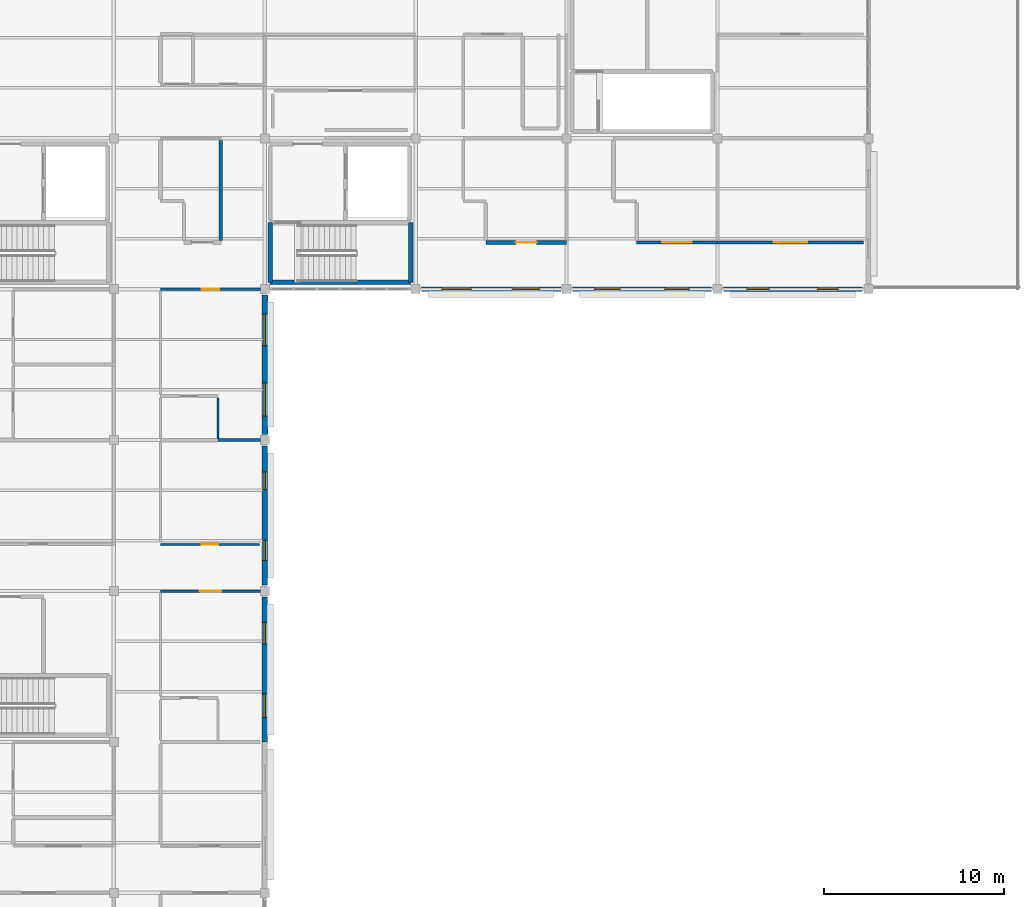
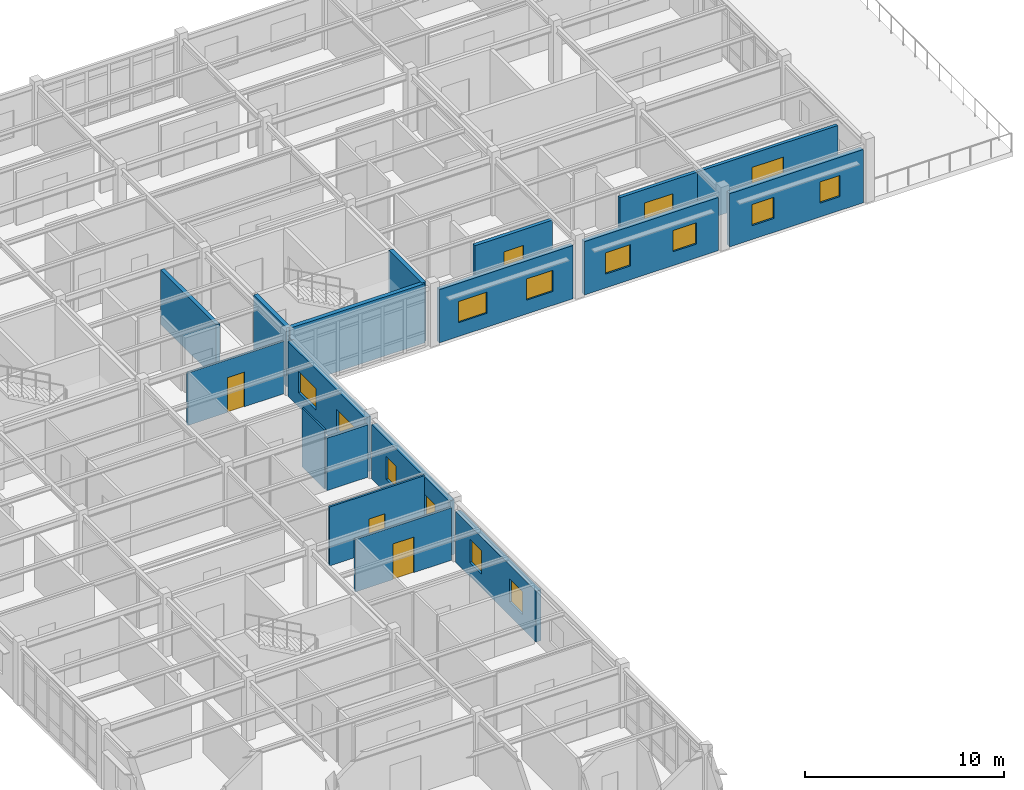
# One storey, part 43 of 53: 18 walls, 12 windows, 6 doors, 18 openings.
"""IFC4 building model written with IfcOpenShell, lengths in metres."""

import ifcopenshell
import ifcopenshell.guid

model = None  # the IFC model being written
_history = None  # IfcOwnerHistory: only IFC2X3 demands one
_inside = {}  # id of a spatial element -> (the spatial element, [elements in it])
_under = {}  # id of a project, library or spatial element -> (it, [spatial elements below it])
_declared = {}  # id of a project -> (the project, [libraries it declares])
_typed = {}  # id of a type object -> (the type object, [elements of that type])
_made_of = {}  # id of a material, layer set ... -> (it, [elements and type objects made of it])


def new_model(schema):
    """Start an empty IFC model of exactly this schema.

    Asked for "IFC4X3", IfcOpenShell would pick the latest addendum, in which some entities
    have other attributes; the version numbers below select the first issue.
    IFC2X3 requires an IfcOwnerHistory on every rooted entity: one is made here for all.
    """
    global model, _history
    if schema == "IFC4X3":
        model = ifcopenshell.file(schema_version=(4, 3, 0, 0))
    else:
        model = ifcopenshell.file(schema=schema)
    _inside.clear()
    _under.clear()
    _declared.clear()
    _typed.clear()
    _made_of.clear()
    _history = None
    if model.schema == "IFC2X3":
        org = make("IfcOrganization", Name="unknown")
        user = make(
            "IfcPersonAndOrganization",
            ThePerson=make("IfcPerson", FamilyName="unknown"),
            TheOrganization=org,
        )
        app = make(
            "IfcApplication",
            ApplicationDeveloper=org,
            Version="unknown",
            ApplicationFullName="unknown",
            ApplicationIdentifier="unknown",
        )
        _history = make(
            "IfcOwnerHistory",
            OwningUser=user,
            OwningApplication=app,
            ChangeAction="ADDED",
            CreationDate=0,
        )
    return model


def make(cls, **values):
    """One entity of the class cls with the attributes given. An attribute that is None is left unset."""
    return model.create_entity(
        cls, **{name: value for name, value in values.items() if value is not None}
    )


def rooted(cls, **values):
    """An entity with a GlobalId (a new one), such as an element, a storey or a relation."""
    return make(cls, GlobalId=ifcopenshell.guid.new(), OwnerHistory=_history, **values)


def si_unit(unit_type, name, prefix=None):
    """IfcSIUnit, for example si_unit("LENGTHUNIT", "METRE", prefix="MILLI")."""
    return make("IfcSIUnit", UnitType=unit_type, Prefix=prefix, Name=name)


def assignment(units):
    """IfcUnitAssignment: the units of a project."""
    return None if units is None else make("IfcUnitAssignment", Units=units)


def point(xyz):
    """IfcCartesianPoint."""
    return None if xyz is None else make("IfcCartesianPoint", Coordinates=xyz)


def direction(xyz):
    """IfcDirection."""
    return None if xyz is None else make("IfcDirection", DirectionRatios=xyz)


def frame(location, z_axis=None, x_axis=None):
    """IfcAxis2Placement3D, a coordinate frame: its origin and axes. An axis left out is left unset."""
    return make(
        "IfcAxis2Placement3D",
        Location=point(location),
        Axis=direction(z_axis),
        RefDirection=direction(x_axis),
    )


def frame_2d(location, x_axis=None):
    """IfcAxis2Placement2D, a coordinate frame in the plane: its origin and x axis."""
    return make(
        "IfcAxis2Placement2D", Location=point(location), RefDirection=direction(x_axis)
    )


def origin():
    """The frame at (0, 0, 0) with its axes left unset."""
    return frame((0.0, 0.0, 0.0))


def place(relative_to, where):
    """IfcLocalPlacement: puts the frame where relative to a parent placement (None: the world)."""
    return make(
        "IfcLocalPlacement", PlacementRelTo=relative_to, RelativePlacement=where
    )


def context(
    kind, dimensions, precision=None, world=None, true_north=None, identifier=None
):
    """IfcGeometricRepresentationContext, for example the 3D "Model" context."""
    return make(
        "IfcGeometricRepresentationContext",
        ContextIdentifier=identifier,
        ContextType=kind,
        CoordinateSpaceDimension=dimensions,
        Precision=precision,
        WorldCoordinateSystem=world,
        TrueNorth=true_north,
    )


def subcontext(parent, identifier, kind, view, scale=None):
    """IfcGeometricRepresentationSubContext, for example "Body" below "Model"."""
    return make(
        "IfcGeometricRepresentationSubContext",
        ContextIdentifier=identifier,
        ContextType=kind,
        ParentContext=parent,
        TargetScale=scale,
        TargetView=view,
    )


def project(units=None, contexts=None):
    """IfcProject with its units and contexts."""
    return rooted(
        "IfcProject",
        Name="project",
        RepresentationContexts=contexts,
        UnitsInContext=assignment(units),
    )


def spatial(cls, under=None, at=None, **own):
    """A site, building, storey or space (cls), placed at a placement, below another one or the project."""
    s = rooted(cls, ObjectPlacement=at, **own)
    if under is not None:
        _under.setdefault(under.id(), (under, []))[1].append(s)
    return s


def profile(cls, at=None, kind="AREA", **sizes):
    """A parametric profile (cls). Its sizes go by their IFC names, for example OverallWidth=200.0."""
    return make(cls, ProfileType=kind, Position=at, **sizes)


def rectangle(**sizes):
    """IfcRectangleProfileDef."""
    return profile("IfcRectangleProfileDef", **sizes)


def extrude(swept, where, along, depth):
    """IfcExtrudedAreaSolid: the profile swept, set in the frame where, extruded along a direction by depth."""
    return make(
        "IfcExtrudedAreaSolid",
        SweptArea=swept,
        Position=where,
        ExtrudedDirection=direction(along),
        Depth=depth,
    )


def shape(context_of_items, identifier, shape_type, items):
    """IfcShapeRepresentation: the items that make up one representation, for example the "Body"."""
    return make(
        "IfcShapeRepresentation",
        ContextOfItems=context_of_items,
        RepresentationIdentifier=identifier,
        RepresentationType=shape_type,
        Items=items,
    )


def material(Name=None, Category=None):
    """IfcMaterial."""
    return make("IfcMaterial", Name=Name, Category=Category)


def layer(
    of_material, thickness, ventilated=None, Name=None, Category=None, Priority=None
):
    """IfcMaterialLayer: one layer of a wall or slab, of a material (None: an air gap)."""
    return make(
        "IfcMaterialLayer",
        Material=of_material,
        LayerThickness=thickness,
        IsVentilated=ventilated,
        Name=Name,
        Category=Category,
        Priority=Priority,
    )


def layer_set(layers, Name=None):
    """IfcMaterialLayerSet."""
    return make("IfcMaterialLayerSet", MaterialLayers=layers, LayerSetName=Name)


def made_of(thing, what):
    """Note that an element or type object is made of a material, layer set ...; save() writes the relation."""
    if what is not None:
        _made_of.setdefault(what.id(), (what, []))[1].append(thing)
    return thing


def type_object(cls, material=None, **own):
    """A type object (cls), such as IfcWallType, which elements share."""
    return made_of(rooted(cls, **own), material)


def element(
    cls,
    number,
    at=None,
    inside=None,
    cuts=None,
    type_object=None,
    material=None,
    context=None,
    identifier="Body",
    shape_type=None,
    held_by="IfcProductDefinitionShape",
    body=None,
    shapes=None,
    **own,
):
    """One element of the class cls, such as IfcWall. Its Tag is "e" and its number.

    at: its placement. inside: the storey or other place that contains it. cuts: it is an
    opening in that element (IfcRelVoidsElement). A single representation is given by context,
    identifier, shape_type and body (its items); several are given by shapes. held_by: the class
    of the entity that holds the representations. save() writes the other relations.
    """
    e = rooted(cls, Tag="e%d" % number, ObjectPlacement=at, **own)
    if body is not None:
        shapes = [shape(context, identifier, shape_type, body)]
    if shapes is not None:
        e.Representation = make(held_by, Representations=shapes)
    if inside is not None:
        _inside.setdefault(inside.id(), (inside, []))[1].append(e)
    if cuts is not None:
        rooted(
            "IfcRelVoidsElement", RelatingBuildingElement=cuts, RelatedOpeningElement=e
        )
    if type_object is not None:
        _typed.setdefault(type_object.id(), (type_object, []))[1].append(e)
    return made_of(e, material)


def fill(opening, filler):
    """IfcRelFillsElement: the door or window that sits in an opening."""
    return rooted(
        "IfcRelFillsElement",
        RelatingOpeningElement=opening,
        RelatedBuildingElement=filler,
    )


def aggregate(whole, parts):
    """IfcRelAggregates: a whole, such as a stair, and the parts it consists of."""
    return rooted("IfcRelAggregates", RelatingObject=whole, RelatedObjects=parts)


def save(model, path):
    """Write the relations noted so far, then the file.

    IfcRelAggregates (storeys below a building ...), IfcRelContainedInSpatialStructure (elements
    in a storey), IfcRelDefinesByType, IfcRelAssociatesMaterial and IfcRelDeclares: one each for
    every whole, place, type object, material and project.
    """
    for whole, parts in _under.values():
        aggregate(whole, parts)
    for where, things in _inside.values():
        rooted(
            "IfcRelContainedInSpatialStructure",
            RelatedElements=things,
            RelatingStructure=where,
        )
    for kind, things in _typed.values():
        rooted("IfcRelDefinesByType", RelatedObjects=things, RelatingType=kind)
    for what, things in _made_of.values():
        rooted("IfcRelAssociatesMaterial", RelatedObjects=things, RelatingMaterial=what)
    for by, libraries in _declared.values():
        rooted("IfcRelDeclares", RelatingContext=by, RelatedDefinitions=libraries)
    model.write(path)


model = new_model("IFC4")

# Units and contexts
model_context = context("Model", 3, precision=1e-05, world=origin(), true_north=direction((0.0, 1.0)))
body_context = subcontext(model_context, "Body", "Model", "MODEL_VIEW")
ifc_project = project(units=[si_unit("LENGTHUNIT", "METRE"), si_unit("AREAUNIT", "SQUARE_METRE"), si_unit("VOLUMEUNIT", "CUBIC_METRE"), si_unit("PLANEANGLEUNIT", "RADIAN"), si_unit("MASSUNIT", "GRAM", prefix="KILO")], contexts=[model_context])

# Site, building, storey
site_placement = place(None, origin())
site = spatial("IfcSite", under=ifc_project, at=site_placement, CompositionType="ELEMENT")
building_placement = place(site_placement, origin())
building = spatial("IfcBuilding", under=site, at=building_placement, Name="Bramfleet General Hospital", CompositionType="ELEMENT")
storey_placement = place(building_placement, frame((0.0, 0.0, 26.39990234375)))
storey = spatial("IfcBuildingStorey", under=building, at=storey_placement, Name="L06", CompositionType="ELEMENT", Elevation=26.39990234375)

# Wall, openings, windows
ifc_material_1 = material(Name="Precast concrete C40/50", Category="concrete")
ifc_layer_1 = layer(ifc_material_1, 0.3349609375, Name="WT-EW-03")
ifc_layer_set_1 = layer_set([ifc_layer_1], Name="Precast concrete C40/50")
wall_type_1 = type_object("IfcWallType", Name="WT-EW-03", PredefinedType="SOLIDWALL", material=ifc_layer_set_1)
wall_1_placement = place(storey_placement, frame((117.60009765625, 92.074951171875, 0.0), z_axis=(0.0, 0.0, 1.0), x_axis=(0.0, -1.0, 0.0)))
wall_1 = element("IfcWall", 1, at=wall_1_placement, inside=storey, type_object=wall_type_1, Name="L06 Exterior Wall 407", PredefinedType="SOLIDWALL", context=body_context, shape_type="SweptSolid", body=[
    extrude(rectangle(XDim=7.75, YDim=0.3349609375, at=frame_2d((3.875, 0.0))), origin(), (0.0, 0.0, 1.0), 3.340087890625),
])
opening_1_placement = place(wall_1_placement, frame((1.0625, 0.0, 0.85009765625)))
opening_1 = element("IfcOpeningElement", 2, at=opening_1_placement, cuts=wall_1, Name="Opening W-09", PredefinedType="OPENING", context=body_context, shape_type="SweptSolid", body=[
    extrude(rectangle(XDim=1.75, YDim=1.300048828125, at=frame_2d((0.875, 0.64990234375))), frame((0.0, 0.177490234375, 0.0), z_axis=(0.0, -1.0, 0.0), x_axis=(1.0, 0.0, 0.0)), (0.0, 0.0, 1.0), 0.35498046875),
])
opening_2_placement = place(wall_1_placement, frame((4.887451171875, 0.0, 0.85009765625)))
opening_2 = element("IfcOpeningElement", 3, at=opening_2_placement, cuts=wall_1, Name="Opening W-10", PredefinedType="OPENING", context=body_context, shape_type="SweptSolid", body=[
    extrude(rectangle(XDim=1.85009765625, YDim=1.300048828125, at=frame_2d((0.925048828125, 0.64990234375))), frame((0.0, 0.177490234375, 0.0), z_axis=(0.0, -1.0, 0.0), x_axis=(1.0, 0.0, 0.0)), (0.0, 0.0, 1.0), 0.35498046875),
])
ifc_material_2 = material(Name="Anodised aluminium and low-E triple glazing", Category="aluminium")
window_type_1 = type_object("IfcWindowType", Name="WIN-W-09", PartitioningType="SINGLE_PANEL", PredefinedType="WINDOW", material=ifc_material_2)
window_1_placement = place(opening_1_placement, origin())
window_1 = element("IfcWindow", 4, at=window_1_placement, inside=storey, type_object=window_type_1, Name="L06 Facade Window WIN-L06-407-1", OverallHeight=1.300048828125, OverallWidth=1.75, PartitioningType="SINGLE_PANEL", PredefinedType="WINDOW", context=body_context, shape_type="SweptSolid", body=[
    extrude(rectangle(XDim=1.75, YDim=1.300048828125, at=frame_2d((0.875, 0.64990234375))), frame((0.0, 0.030029296875, 0.0), z_axis=(0.0, -1.0, 0.0), x_axis=(1.0, 0.0, 0.0)), (0.0, 0.0, 1.0), 0.06005859375),
])
fill(opening_1, window_1)
window_type_2 = type_object("IfcWindowType", Name="WIN-W-10", PartitioningType="SINGLE_PANEL", PredefinedType="WINDOW", material=ifc_material_2)
window_2_placement = place(opening_2_placement, origin())
window_2 = element("IfcWindow", 5, at=window_2_placement, inside=storey, type_object=window_type_2, Name="L06 Facade Window WIN-L06-407-2", OverallHeight=1.300048828125, OverallWidth=1.85009765625, PartitioningType="SINGLE_PANEL", PredefinedType="WINDOW", context=body_context, shape_type="SweptSolid", body=[
    extrude(rectangle(XDim=1.85009765625, YDim=1.300048828125, at=frame_2d((0.925048828125, 0.64990234375))), frame((0.0, 0.030029296875, 0.0), z_axis=(0.0, -1.0, 0.0), x_axis=(1.0, 0.0, 0.0)), (0.0, 0.0, 1.0), 0.06005859375),
])
fill(opening_2, window_2)

ifc_layer_2 = layer(ifc_material_1, 0.31494140625, Name="WT-EW-04")
ifc_layer_set_2 = layer_set([ifc_layer_2], Name="Precast concrete C40/50")
wall_type_2 = type_object("IfcWallType", Name="WT-EW-04", PredefinedType="SOLIDWALL", material=ifc_layer_set_2)
wall_2_placement = place(storey_placement, frame((117.60009765625, 83.675048828125, 0.0), z_axis=(0.0, 0.0, 1.0), x_axis=(0.0, -1.0, 0.0)))
wall_2 = element("IfcWall", 6, at=wall_2_placement, inside=storey, type_object=wall_type_2, Name="L06 Exterior Wall 408", PredefinedType="SOLIDWALL", context=body_context, shape_type="SweptSolid", body=[
    extrude(rectangle(XDim=7.75, YDim=0.31494140625, at=frame_2d((3.875, 0.0))), origin(), (0.0, 0.0, 1.0), 3.340087890625),
])
opening_3_placement = place(wall_2_placement, frame((1.4375, 0.0, 0.85009765625)))
opening_3 = element("IfcOpeningElement", 7, at=opening_3_placement, cuts=wall_2, Name="Opening W-11", PredefinedType="OPENING", context=body_context, shape_type="SweptSolid", body=[
    extrude(rectangle(XDim=1.0, YDim=1.419921875, at=frame_2d((0.5, 0.7099609375))), frame((0.0, 0.16748046875, 0.0), z_axis=(0.0, -1.0, 0.0), x_axis=(1.0, 0.0, 0.0)), (0.0, 0.0, 1.0), 0.3349609375),
])
opening_4_placement = place(wall_2_placement, frame((5.262451171875, 0.0, 0.85009765625)))
opening_4 = element("IfcOpeningElement", 8, at=opening_4_placement, cuts=wall_2, Name="Opening W-12", PredefinedType="OPENING", context=body_context, shape_type="SweptSolid", body=[
    extrude(rectangle(XDim=1.10009765625, YDim=1.419921875, at=frame_2d((0.550048828125, 0.7099609375))), frame((0.0, 0.16748046875, 0.0), z_axis=(0.0, -1.0, 0.0), x_axis=(1.0, 0.0, 0.0)), (0.0, 0.0, 1.0), 0.3349609375),
])
window_type_3 = type_object("IfcWindowType", Name="WIN-W-11", PartitioningType="SINGLE_PANEL", PredefinedType="WINDOW", material=ifc_material_2)
window_3_placement = place(opening_3_placement, origin())
window_3 = element("IfcWindow", 9, at=window_3_placement, inside=storey, type_object=window_type_3, Name="L06 Facade Window WIN-L06-408-1", OverallHeight=1.419921875, OverallWidth=1.0, PartitioningType="SINGLE_PANEL", PredefinedType="WINDOW", context=body_context, shape_type="SweptSolid", body=[
    extrude(rectangle(XDim=1.0, YDim=1.419921875, at=frame_2d((0.5, 0.7099609375))), frame((0.0, 0.030029296875, 0.0), z_axis=(0.0, -1.0, 0.0), x_axis=(1.0, 0.0, 0.0)), (0.0, 0.0, 1.0), 0.06005859375),
])
fill(opening_3, window_3)
window_type_4 = type_object("IfcWindowType", Name="WIN-W-12", PartitioningType="SINGLE_PANEL", PredefinedType="WINDOW", material=ifc_material_2)
window_4_placement = place(opening_4_placement, origin())
window_4 = element("IfcWindow", 10, at=window_4_placement, inside=storey, type_object=window_type_4, Name="L06 Facade Window WIN-L06-408-2", OverallHeight=1.419921875, OverallWidth=1.10009765625, PartitioningType="SINGLE_PANEL", PredefinedType="WINDOW", context=body_context, shape_type="SweptSolid", body=[
    extrude(rectangle(XDim=1.10009765625, YDim=1.419921875, at=frame_2d((0.550048828125, 0.7099609375))), frame((0.0, 0.030029296875, 0.0), z_axis=(0.0, -1.0, 0.0), x_axis=(1.0, 0.0, 0.0)), (0.0, 0.0, 1.0), 0.06005859375),
])
fill(opening_4, window_4)

ifc_layer_3 = layer(ifc_material_1, 0.294921875, Name="WT-EW-05")
ifc_layer_set_3 = layer_set([ifc_layer_3], Name="Precast concrete C40/50")
wall_type_3 = type_object("IfcWallType", Name="WT-EW-05", PredefinedType="SOLIDWALL", material=ifc_layer_set_3)
wall_3_placement = place(storey_placement, frame((117.60009765625, 75.27490234375, 0.0), z_axis=(0.0, 0.0, 1.0), x_axis=(0.0, -1.0, 0.0)))
wall_3 = element("IfcWall", 11, at=wall_3_placement, inside=storey, type_object=wall_type_3, Name="L06 Exterior Wall 409", PredefinedType="SOLIDWALL", context=body_context, shape_type="SweptSolid", body=[
    extrude(rectangle(XDim=8.074951171875, YDim=0.294921875, at=frame_2d((4.03759765625, 0.0))), origin(), (0.0, 0.0, 1.0), 3.110107421875),
])
opening_5_placement = place(wall_3_placement, frame((1.418701171875, 0.0, 0.85009765625)))
opening_5 = element("IfcOpeningElement", 12, at=opening_5_placement, cuts=wall_3, Name="Opening W-13", PredefinedType="OPENING", context=body_context, shape_type="SweptSolid", body=[
    extrude(rectangle(XDim=1.199951171875, YDim=1.419921875, at=frame_2d((0.60009765625, 0.7099609375))), frame((0.0, 0.157470703125, 0.0), z_axis=(0.0, -1.0, 0.0), x_axis=(1.0, 0.0, 0.0)), (0.0, 0.0, 1.0), 0.31494140625),
])
opening_6_placement = place(wall_3_placement, frame((5.40625, 0.0, 0.85009765625)))
opening_6 = element("IfcOpeningElement", 13, at=opening_6_placement, cuts=wall_3, Name="Opening W-14", PredefinedType="OPENING", context=body_context, shape_type="SweptSolid", body=[
    extrude(rectangle(XDim=1.300048828125, YDim=1.419921875, at=frame_2d((0.64990234375, 0.7099609375))), frame((0.0, 0.157470703125, 0.0), z_axis=(0.0, -1.0, 0.0), x_axis=(1.0, 0.0, 0.0)), (0.0, 0.0, 1.0), 0.31494140625),
])
window_type_5 = type_object("IfcWindowType", Name="WIN-W-13", PartitioningType="SINGLE_PANEL", PredefinedType="WINDOW", material=ifc_material_2)
window_5_placement = place(opening_5_placement, origin())
window_5 = element("IfcWindow", 14, at=window_5_placement, inside=storey, type_object=window_type_5, Name="L06 Facade Window WIN-L06-409-1", OverallHeight=1.419921875, OverallWidth=1.199951171875, PartitioningType="SINGLE_PANEL", PredefinedType="WINDOW", context=body_context, shape_type="SweptSolid", body=[
    extrude(rectangle(XDim=1.199951171875, YDim=1.419921875, at=frame_2d((0.60009765625, 0.7099609375))), frame((0.0, 0.030029296875, 0.0), z_axis=(0.0, -1.0, 0.0), x_axis=(1.0, 0.0, 0.0)), (0.0, 0.0, 1.0), 0.06005859375),
])
fill(opening_5, window_5)
window_type_6 = type_object("IfcWindowType", Name="WIN-W-14", PartitioningType="SINGLE_PANEL", PredefinedType="WINDOW", material=ifc_material_2)
window_6_placement = place(opening_6_placement, origin())
window_6 = element("IfcWindow", 15, at=window_6_placement, inside=storey, type_object=window_type_6, Name="L06 Facade Window WIN-L06-409-2", OverallHeight=1.419921875, OverallWidth=1.300048828125, PartitioningType="SINGLE_PANEL", PredefinedType="WINDOW", context=body_context, shape_type="SweptSolid", body=[
    extrude(rectangle(XDim=1.300048828125, YDim=1.419921875, at=frame_2d((0.64990234375, 0.7099609375))), frame((0.0, 0.030029296875, 0.0), z_axis=(0.0, -1.0, 0.0), x_axis=(1.0, 0.0, 0.0)), (0.0, 0.0, 1.0), 0.06005859375),
])
fill(opening_6, window_6)

ifc_layer_4 = layer(ifc_material_1, 0.264892578125, Name="WT-EW-07")
ifc_layer_set_4 = layer_set([ifc_layer_4], Name="Precast concrete C40/50")
wall_type_4 = type_object("IfcWallType", Name="WT-EW-07", PredefinedType="SOLIDWALL", material=ifc_layer_set_4)
wall_4_placement = place(storey_placement, frame((150.875, 92.39990234375, 0.0), z_axis=(0.0, 0.0, 1.0), x_axis=(-1.0, 0.0, 0.0)))
wall_4 = element("IfcWall", 16, at=wall_4_placement, inside=storey, type_object=wall_type_4, Name="L06 Exterior Wall 404", PredefinedType="SOLIDWALL", context=body_context, shape_type="SweptSolid", body=[
    extrude(rectangle(XDim=7.75, YDim=0.264892578125, at=frame_2d((3.875, 0.0))), origin(), (0.0, 0.0, 1.0), 3.260009765625),
])
opening_7_placement = place(wall_4_placement, frame((1.362548828125, 0.0, 0.85009765625)))
opening_7 = element("IfcOpeningElement", 17, at=opening_7_placement, cuts=wall_4, Name="Opening W-03", PredefinedType="OPENING", context=body_context, shape_type="SweptSolid", body=[
    extrude(rectangle(XDim=1.14990234375, YDim=1.300048828125, at=frame_2d((0.574951171875, 0.64990234375))), frame((0.0, 0.142333984375, 0.0), z_axis=(0.0, -1.0, 0.0), x_axis=(1.0, 0.0, 0.0)), (0.0, 0.0, 1.0), 0.284912109375),
])
opening_8_placement = place(wall_4_placement, frame((5.1875, 0.0, 0.85009765625)))
opening_8 = element("IfcOpeningElement", 18, at=opening_8_placement, cuts=wall_4, Name="Opening W-04", PredefinedType="OPENING", context=body_context, shape_type="SweptSolid", body=[
    extrude(rectangle(XDim=1.25, YDim=1.300048828125, at=frame_2d((0.625, 0.64990234375))), frame((0.0, 0.142333984375, 0.0), z_axis=(0.0, -1.0, 0.0), x_axis=(1.0, 0.0, 0.0)), (0.0, 0.0, 1.0), 0.284912109375),
])
window_type_7 = type_object("IfcWindowType", Name="WIN-W-03", PartitioningType="SINGLE_PANEL", PredefinedType="WINDOW", material=ifc_material_2)
window_7_placement = place(opening_7_placement, origin())
window_7 = element("IfcWindow", 19, at=window_7_placement, inside=storey, type_object=window_type_7, Name="L06 Facade Window WIN-L06-404-1", OverallHeight=1.300048828125, OverallWidth=1.14990234375, PartitioningType="SINGLE_PANEL", PredefinedType="WINDOW", context=body_context, shape_type="SweptSolid", body=[
    extrude(rectangle(XDim=1.14990234375, YDim=1.300048828125, at=frame_2d((0.574951171875, 0.64990234375))), frame((0.0, 0.030029296875, 0.0), z_axis=(0.0, -1.0, 0.0), x_axis=(1.0, 0.0, 0.0)), (0.0, 0.0, 1.0), 0.06005859375),
])
fill(opening_7, window_7)
window_type_8 = type_object("IfcWindowType", Name="WIN-W-04", PartitioningType="SINGLE_PANEL", PredefinedType="WINDOW", material=ifc_material_2)
window_8_placement = place(opening_8_placement, origin())
window_8 = element("IfcWindow", 20, at=window_8_placement, inside=storey, type_object=window_type_8, Name="L06 Facade Window WIN-L06-404-2", OverallHeight=1.300048828125, OverallWidth=1.25, PartitioningType="SINGLE_PANEL", PredefinedType="WINDOW", context=body_context, shape_type="SweptSolid", body=[
    extrude(rectangle(XDim=1.25, YDim=1.300048828125, at=frame_2d((0.625, 0.64990234375))), frame((0.0, 0.030029296875, 0.0), z_axis=(0.0, -1.0, 0.0), x_axis=(1.0, 0.0, 0.0)), (0.0, 0.0, 1.0), 0.06005859375),
])
fill(opening_8, window_8)

ifc_layer_5 = layer(ifc_material_1, 0.25, Name="WT-EW-08")
ifc_layer_set_5 = layer_set([ifc_layer_5], Name="Precast concrete C40/50")
wall_type_5 = type_object("IfcWallType", Name="WT-EW-08", PredefinedType="SOLIDWALL", material=ifc_layer_set_5)
wall_5_placement = place(storey_placement, frame((142.47509765625, 92.39990234375, 0.0), z_axis=(0.0, 0.0, 1.0), x_axis=(-1.0, 0.0, 0.0)))
wall_5 = element("IfcWall", 21, at=wall_5_placement, inside=storey, type_object=wall_type_5, Name="L06 Exterior Wall 405", PredefinedType="SOLIDWALL", context=body_context, shape_type="SweptSolid", body=[
    extrude(rectangle(XDim=7.75, YDim=0.25, at=frame_2d((3.875, 0.0))), origin(), (0.0, 0.0, 1.0), 3.260009765625),
])
opening_9_placement = place(wall_5_placement, frame((1.262451171875, 0.0, 0.85009765625)))
opening_9 = element("IfcOpeningElement", 22, at=opening_9_placement, cuts=wall_5, Name="Opening W-05", PredefinedType="OPENING", context=body_context, shape_type="SweptSolid", body=[
    extrude(rectangle(XDim=1.35009765625, YDim=1.300048828125, at=frame_2d((0.675048828125, 0.64990234375))), frame((0.0, 0.135009765625, 0.0), z_axis=(0.0, -1.0, 0.0), x_axis=(1.0, 0.0, 0.0)), (0.0, 0.0, 1.0), 0.27001953125),
])
opening_10_placement = place(wall_5_placement, frame((5.08740234375, 0.0, 0.85009765625)))
opening_10 = element("IfcOpeningElement", 23, at=opening_10_placement, cuts=wall_5, Name="Opening W-06", PredefinedType="OPENING", context=body_context, shape_type="SweptSolid", body=[
    extrude(rectangle(XDim=1.449951171875, YDim=1.300048828125, at=frame_2d((0.72509765625, 0.64990234375))), frame((0.0, 0.135009765625, 0.0), z_axis=(0.0, -1.0, 0.0), x_axis=(1.0, 0.0, 0.0)), (0.0, 0.0, 1.0), 0.27001953125),
])
window_type_9 = type_object("IfcWindowType", Name="WIN-W-05", PartitioningType="SINGLE_PANEL", PredefinedType="WINDOW", material=ifc_material_2)
window_9_placement = place(opening_9_placement, origin())
window_9 = element("IfcWindow", 24, at=window_9_placement, inside=storey, type_object=window_type_9, Name="L06 Facade Window WIN-L06-405-1", OverallHeight=1.300048828125, OverallWidth=1.35009765625, PartitioningType="SINGLE_PANEL", PredefinedType="WINDOW", context=body_context, shape_type="SweptSolid", body=[
    extrude(rectangle(XDim=1.35009765625, YDim=1.300048828125, at=frame_2d((0.675048828125, 0.64990234375))), frame((0.0, 0.030029296875, 0.0), z_axis=(0.0, -1.0, 0.0), x_axis=(1.0, 0.0, 0.0)), (0.0, 0.0, 1.0), 0.06005859375),
])
fill(opening_9, window_9)
window_type_10 = type_object("IfcWindowType", Name="WIN-W-06", PartitioningType="SINGLE_PANEL", PredefinedType="WINDOW", material=ifc_material_2)
window_10_placement = place(opening_10_placement, origin())
window_10 = element("IfcWindow", 25, at=window_10_placement, inside=storey, type_object=window_type_10, Name="L06 Facade Window WIN-L06-405-2", OverallHeight=1.300048828125, OverallWidth=1.449951171875, PartitioningType="SINGLE_PANEL", PredefinedType="WINDOW", context=body_context, shape_type="SweptSolid", body=[
    extrude(rectangle(XDim=1.449951171875, YDim=1.300048828125, at=frame_2d((0.72509765625, 0.64990234375))), frame((0.0, 0.030029296875, 0.0), z_axis=(0.0, -1.0, 0.0), x_axis=(1.0, 0.0, 0.0)), (0.0, 0.0, 1.0), 0.06005859375),
])
fill(opening_10, window_10)

ifc_layer_6 = layer(ifc_material_1, 0.235107421875, Name="WT-EW-09")
ifc_layer_set_6 = layer_set([ifc_layer_6], Name="Precast concrete C40/50")
wall_type_6 = type_object("IfcWallType", Name="WT-EW-09", PredefinedType="SOLIDWALL", material=ifc_layer_set_6)
wall_6_placement = place(storey_placement, frame((134.074951171875, 92.39990234375, 0.0), z_axis=(0.0, 0.0, 1.0), x_axis=(-1.0, 0.0, 0.0)))
wall_6 = element("IfcWall", 26, at=wall_6_placement, inside=storey, type_object=wall_type_6, Name="L06 Exterior Wall 406", PredefinedType="SOLIDWALL", context=body_context, shape_type="SweptSolid", body=[
    extrude(rectangle(XDim=7.75, YDim=0.235107421875, at=frame_2d((3.875, 0.0))), origin(), (0.0, 0.0, 1.0), 3.260009765625),
])
opening_11_placement = place(wall_6_placement, frame((1.16259765625, 0.0, 0.85009765625)))
opening_11 = element("IfcOpeningElement", 27, at=opening_11_placement, cuts=wall_6, Name="Opening W-07", PredefinedType="OPENING", context=body_context, shape_type="SweptSolid", body=[
    extrude(rectangle(XDim=1.550048828125, YDim=1.300048828125, at=frame_2d((0.77490234375, 0.64990234375))), frame((0.0, 0.12744140625, 0.0), z_axis=(0.0, -1.0, 0.0), x_axis=(1.0, 0.0, 0.0)), (0.0, 0.0, 1.0), 0.255126953125),
])
opening_12_placement = place(wall_6_placement, frame((4.987548828125, 0.0, 0.85009765625)))
opening_12 = element("IfcOpeningElement", 28, at=opening_12_placement, cuts=wall_6, Name="Opening W-08", PredefinedType="OPENING", context=body_context, shape_type="SweptSolid", body=[
    extrude(rectangle(XDim=1.64990234375, YDim=1.300048828125, at=frame_2d((0.824951171875, 0.64990234375))), frame((0.0, 0.12744140625, 0.0), z_axis=(0.0, -1.0, 0.0), x_axis=(1.0, 0.0, 0.0)), (0.0, 0.0, 1.0), 0.255126953125),
])
window_type_11 = type_object("IfcWindowType", Name="WIN-W-07", PartitioningType="SINGLE_PANEL", PredefinedType="WINDOW", material=ifc_material_2)
window_11_placement = place(opening_11_placement, origin())
window_11 = element("IfcWindow", 29, at=window_11_placement, inside=storey, type_object=window_type_11, Name="L06 Facade Window WIN-L06-406-1", OverallHeight=1.300048828125, OverallWidth=1.550048828125, PartitioningType="SINGLE_PANEL", PredefinedType="WINDOW", context=body_context, shape_type="SweptSolid", body=[
    extrude(rectangle(XDim=1.550048828125, YDim=1.300048828125, at=frame_2d((0.77490234375, 0.64990234375))), frame((0.0, 0.030029296875, 0.0), z_axis=(0.0, -1.0, 0.0), x_axis=(1.0, 0.0, 0.0)), (0.0, 0.0, 1.0), 0.06005859375),
])
fill(opening_11, window_11)
window_type_12 = type_object("IfcWindowType", Name="WIN-W-08", PartitioningType="SINGLE_PANEL", PredefinedType="WINDOW", material=ifc_material_2)
window_12_placement = place(opening_12_placement, origin())
window_12 = element("IfcWindow", 30, at=window_12_placement, inside=storey, type_object=window_type_12, Name="L06 Facade Window WIN-L06-406-2", OverallHeight=1.300048828125, OverallWidth=1.64990234375, PartitioningType="SINGLE_PANEL", PredefinedType="WINDOW", context=body_context, shape_type="SweptSolid", body=[
    extrude(rectangle(XDim=1.64990234375, YDim=1.300048828125, at=frame_2d((0.824951171875, 0.64990234375))), frame((0.0, 0.030029296875, 0.0), z_axis=(0.0, -1.0, 0.0), x_axis=(1.0, 0.0, 0.0)), (0.0, 0.0, 1.0), 0.06005859375),
])
fill(opening_12, window_12)

# Wall
ifc_material_3 = material(Name="Concrete C35/45", Category="concrete")
ifc_layer_7 = layer(ifc_material_3, 0.219970703125, Name="WT-IW-01")
ifc_layer_set_7 = layer_set([ifc_layer_7], Name="Concrete C35/45")
wall_type_7 = type_object("IfcWallType", Name="WT-IW-01", PredefinedType="PARTITIONING", material=ifc_layer_set_7)
wall_7_placement = place(storey_placement, frame((115.14990234375, 95.114990234375, 0.0), z_axis=(0.0, 0.0, 1.0), x_axis=(0.0, 1.0, 0.0)))
element("IfcWall", 31, at=wall_7_placement, inside=storey, type_object=wall_type_7, Name="L06 Interior Partition IW-L06-4081", PredefinedType="PARTITIONING", context=body_context, shape_type="SweptSolid", body=[
    extrude(rectangle(XDim=5.570068359375, YDim=0.219970703125, at=frame_2d((2.78515625, 0.0))), origin(), (0.0, 0.0, 1.0), 3.340087890625),
])

# Wall, opening, door
ifc_layer_8 = layer(ifc_material_3, 0.205078125, Name="WT-IW-02")
ifc_layer_set_8 = layer_set([ifc_layer_8], Name="Concrete C35/45")
wall_type_8 = type_object("IfcWallType", Name="WT-IW-02", PredefinedType="PARTITIONING", material=ifc_layer_set_8)
wall_8_placement = place(storey_placement, frame((129.89990234375, 95.0, 0.0), z_axis=(0.0, 0.0, 1.0), x_axis=(1.0, 0.0, 0.0)))
wall_8 = element("IfcWall", 32, at=wall_8_placement, inside=storey, type_object=wall_type_8, Name="L06 Interior Partition IW-L06-3926", PredefinedType="PARTITIONING", context=body_context, shape_type="SweptSolid", body=[
    extrude(rectangle(XDim=4.5, YDim=0.205078125, at=frame_2d((2.25, 0.0))), origin(), (0.0, 0.0, 1.0), 3.110107421875),
])
opening_13_placement = place(wall_8_placement, frame((1.675048828125, 0.0, 0.0)))
opening_13 = element("IfcOpeningElement", 33, at=opening_13_placement, cuts=wall_8, Name="Opening D1516", PredefinedType="OPENING", context=body_context, shape_type="SweptSolid", body=[
    extrude(rectangle(XDim=1.14990234375, YDim=2.14990234375, at=frame_2d((0.574951171875, 1.074951171875))), frame((0.0, 0.112548828125, 0.0), z_axis=(0.0, -1.0, 0.0), x_axis=(1.0, 0.0, 0.0)), (0.0, 0.0, 1.0), 0.22509765625),
])
ifc_material_4 = material(Name="Stainless steel and acoustic timber leaf", Category="steel")
door_type_1 = type_object("IfcDoorType", Name="DR-D-12", OperationType="NOTDEFINED", PredefinedType="DOOR", material=ifc_material_4)
door_1_placement = place(opening_13_placement, origin())
door_1 = element("IfcDoor", 34, at=door_1_placement, inside=storey, type_object=door_type_1, Name="Oncology and Neurology Ward Bedroom L06-1511 Door D1516", OperationType="SINGLE_SWING_LEFT", OverallHeight=2.14990234375, OverallWidth=1.14990234375, PredefinedType="DOOR", context=body_context, shape_type="SweptSolid", body=[
    extrude(rectangle(XDim=1.14990234375, YDim=2.14990234375, at=frame_2d((0.574951171875, 1.074951171875))), frame((0.0, 0.02490234375, 0.0), z_axis=(0.0, -1.0, 0.0), x_axis=(1.0, 0.0, 0.0)), (0.0, 0.0, 1.0), 0.050048828125),
])
fill(opening_13, door_1)

ifc_layer_9 = layer(ifc_material_3, 0.18994140625, Name="WT-IW-03")
ifc_layer_set_9 = layer_set([ifc_layer_9], Name="Concrete C35/45")
wall_type_9 = type_object("IfcWallType", Name="WT-IW-03", PredefinedType="PARTITIONING", material=ifc_layer_set_9)
wall_9_placement = place(storey_placement, frame((138.300048828125, 95.0, 0.0), z_axis=(0.0, 0.0, 1.0), x_axis=(1.0, 0.0, 0.0)))
wall_9 = element("IfcWall", 35, at=wall_9_placement, inside=storey, type_object=wall_type_9, Name="L06 Interior Partition IW-L06-3927", PredefinedType="PARTITIONING", context=body_context, shape_type="SweptSolid", body=[
    extrude(rectangle(XDim=4.5, YDim=0.18994140625, at=frame_2d((2.25, 0.0))), origin(), (0.0, 0.0, 1.0), 3.110107421875),
])
opening_14_placement = place(wall_9_placement, frame((1.429931640625, 0.0, 0.0)))
opening_14 = element("IfcOpeningElement", 36, at=opening_14_placement, cuts=wall_9, Name="Opening D1522", PredefinedType="OPENING", context=body_context, shape_type="SweptSolid", body=[
    extrude(rectangle(XDim=1.639892578125, YDim=2.280029296875, at=frame_2d((0.81982421875, 1.14013671875))), frame((0.0, 0.10498046875, 0.0), z_axis=(0.0, -1.0, 0.0), x_axis=(1.0, 0.0, 0.0)), (0.0, 0.0, 1.0), 0.2099609375),
])
door_type_2 = type_object("IfcDoorType", Name="DR-D-18", OperationType="NOTDEFINED", PredefinedType="DOOR", material=ifc_material_4)
door_2_placement = place(opening_14_placement, origin())
door_2 = element("IfcDoor", 37, at=door_2_placement, inside=storey, type_object=door_type_2, Name="Oncology and Neurology Ward Bedroom L06-1611 Door D1522", OperationType="DOUBLE_SWING_LEFT", OverallHeight=2.280029296875, OverallWidth=1.639892578125, PredefinedType="DOOR", context=body_context, shape_type="SweptSolid", body=[
    extrude(rectangle(XDim=1.639892578125, YDim=2.280029296875, at=frame_2d((0.81982421875, 1.14013671875))), frame((0.0, 0.02490234375, 0.0), z_axis=(0.0, -1.0, 0.0), x_axis=(1.0, 0.0, 0.0)), (0.0, 0.0, 1.0), 0.050048828125),
])
fill(opening_14, door_2)

# Wall
ifc_layer_10 = layer(ifc_material_3, 0.179931640625, Name="WT-IW-04")
ifc_layer_set_10 = layer_set([ifc_layer_10], Name="Concrete C35/45")
wall_type_10 = type_object("IfcWallType", Name="WT-IW-04", PredefinedType="PARTITIONING", material=ifc_layer_set_10)
wall_10_placement = place(storey_placement, frame((115.0, 84.0, 0.0), z_axis=(0.0, 0.0, 1.0), x_axis=(1.0, 0.0, 0.0)))
element("IfcWall", 38, at=wall_10_placement, inside=storey, type_object=wall_type_10, Name="L06 Interior Partition IW-L06-3916", PredefinedType="PARTITIONING", context=body_context, shape_type="SweptSolid", body=[
    extrude(rectangle(XDim=2.35498046875, YDim=0.179931640625, at=frame_2d((1.177490234375, 0.0))), origin(), (0.0, 0.0, 1.0), 3.210205078125),
])

# Wall, opening, door
wall_11_placement = place(storey_placement, frame((142.800048828125, 95.0, 0.0), z_axis=(0.0, 0.0, 1.0), x_axis=(1.0, 0.0, 0.0)))
wall_11 = element("IfcWall", 39, at=wall_11_placement, inside=storey, type_object=wall_type_10, Name="L06 Interior Partition IW-L06-3928", PredefinedType="PARTITIONING", context=body_context, shape_type="SweptSolid", body=[
    extrude(rectangle(XDim=8.119873046875, YDim=0.179931640625, at=frame_2d((4.06005859375, 0.0))), origin(), (0.0, 0.0, 1.0), 3.110107421875),
])
opening_15_placement = place(wall_11_placement, frame((3.139892578125, 0.0, 0.0)))
opening_15 = element("IfcOpeningElement", 40, at=opening_15_placement, cuts=wall_11, Name="Opening D1524", PredefinedType="OPENING", context=body_context, shape_type="SweptSolid", body=[
    extrude(rectangle(XDim=1.840087890625, YDim=2.280029296875, at=frame_2d((0.919921875, 1.14013671875))), frame((0.0, 0.099853515625, 0.0), z_axis=(0.0, -1.0, 0.0), x_axis=(1.0, 0.0, 0.0)), (0.0, 0.0, 1.0), 0.199951171875),
])
door_type_3 = type_object("IfcDoorType", Name="DR-D-20", OperationType="NOTDEFINED", PredefinedType="DOOR", material=ifc_material_4)
door_3_placement = place(opening_15_placement, origin())
door_3 = element("IfcDoor", 41, at=door_3_placement, inside=storey, type_object=door_type_3, Name="Patient Dayroom and Garden Lounge L06-1711 Door D1524", OperationType="DOUBLE_SWING_LEFT", OverallHeight=2.280029296875, OverallWidth=1.840087890625, PredefinedType="DOOR", context=body_context, shape_type="SweptSolid", body=[
    extrude(rectangle(XDim=1.840087890625, YDim=2.280029296875, at=frame_2d((0.919921875, 1.14013671875))), frame((0.0, 0.02490234375, 0.0), z_axis=(0.0, -1.0, 0.0), x_axis=(1.0, 0.0, 0.0)), (0.0, 0.0, 1.0), 0.050048828125),
])
fill(opening_15, door_3)

ifc_material_5 = material(Name="Gypsum plasterboard on acoustic steel studs", Category="steel")
ifc_layer_11 = layer(ifc_material_5, 0.139892578125, Name="WT-IW-08")
ifc_layer_set_11 = layer_set([ifc_layer_11], Name="Gypsum plasterboard on acoustic steel studs")
wall_type_11 = type_object("IfcWallType", Name="WT-IW-08", PredefinedType="PARTITIONING", material=ifc_layer_set_11)
wall_12_placement = place(storey_placement, frame((111.800048828125, 75.60009765625, 0.0), z_axis=(0.0, 0.0, 1.0), x_axis=(1.0, 0.0, 0.0)))
wall_12 = element("IfcWall", 42, at=wall_12_placement, inside=storey, type_object=wall_type_11, Name="L06 Interior Partition IW-L06-3908", PredefinedType="PARTITIONING", context=body_context, shape_type="SweptSolid", body=[
    extrude(rectangle(XDim=5.554931640625, YDim=0.139892578125, at=frame_2d((2.77734375, 0.0))), origin(), (0.0, 0.0, 1.0), 3.210205078125),
])
opening_16_placement = place(wall_12_placement, frame((2.16748046875, 0.0, 0.0)))
opening_16 = element("IfcOpeningElement", 43, at=opening_16_placement, cuts=wall_12, Name="Opening D1495", PredefinedType="OPENING", context=body_context, shape_type="SweptSolid", body=[
    extrude(rectangle(XDim=1.219970703125, YDim=2.179931640625, at=frame_2d((0.60986328125, 1.08984375))), frame((0.0, 0.079833984375, 0.0), z_axis=(0.0, -1.0, 0.0), x_axis=(1.0, 0.0, 0.0)), (0.0, 0.0, 1.0), 0.159912109375),
])
door_type_4 = type_object("IfcDoorType", Name="DR-D-23", OperationType="NOTDEFINED", PredefinedType="DOOR", material=ifc_material_4)
door_4_placement = place(opening_16_placement, origin())
door_4 = element("IfcDoor", 44, at=door_4_placement, inside=storey, type_object=door_type_4, Name="Oncology and Neurology Ward Bedroom L06-1308 Door D1495", OperationType="SINGLE_SWING_RIGHT", OverallHeight=2.179931640625, OverallWidth=1.219970703125, PredefinedType="DOOR", context=body_context, shape_type="SweptSolid", body=[
    extrude(rectangle(XDim=1.219970703125, YDim=2.179931640625, at=frame_2d((0.60986328125, 1.08984375))), frame((0.0, 0.02490234375, 0.0), z_axis=(0.0, -1.0, 0.0), x_axis=(1.0, 0.0, 0.0)), (0.0, 0.0, 1.0), 0.050048828125),
])
fill(opening_16, door_4)

ifc_layer_12 = layer(ifc_material_5, 0.1298828125, Name="WT-IW-09")
ifc_layer_set_12 = layer_set([ifc_layer_12], Name="Gypsum plasterboard on acoustic steel studs")
wall_type_12 = type_object("IfcWallType", Name="WT-IW-09", PredefinedType="PARTITIONING", material=ifc_layer_set_12)
wall_13_placement = place(storey_placement, frame((111.800048828125, 92.39990234375, 0.0), z_axis=(0.0, 0.0, 1.0), x_axis=(1.0, 0.0, 0.0)))
wall_13 = element("IfcWall", 45, at=wall_13_placement, inside=storey, type_object=wall_type_12, Name="L06 Interior Partition IW-L06-3921", PredefinedType="PARTITIONING", context=body_context, shape_type="SweptSolid", body=[
    extrude(rectangle(XDim=5.554931640625, YDim=0.1298828125, at=frame_2d((2.77734375, 0.0))), origin(), (0.0, 0.0, 1.0), 3.210205078125),
])
opening_17_placement = place(wall_13_placement, frame((2.28759765625, 0.0, 0.0)))
opening_17 = element("IfcOpeningElement", 46, at=opening_17_placement, cuts=wall_13, Name="Opening D1498", PredefinedType="OPENING", context=body_context, shape_type="SweptSolid", body=[
    extrude(rectangle(XDim=0.97998046875, YDim=2.1201171875, at=frame_2d((0.489990234375, 1.06005859375))), frame((0.0, 0.074951171875, 0.0), z_axis=(0.0, -1.0, 0.0), x_axis=(1.0, 0.0, 0.0)), (0.0, 0.0, 1.0), 0.14990234375),
])
door_type_5 = type_object("IfcDoorType", Name="DR-D-26", OperationType="NOTDEFINED", PredefinedType="DOOR", material=ifc_material_4)
door_5_placement = place(opening_17_placement, origin())
door_5 = element("IfcDoor", 47, at=door_5_placement, inside=storey, type_object=door_type_5, Name="Oncology and Neurology Ward Bedroom L06-1310 Door D1498", OperationType="SINGLE_SWING_LEFT", OverallHeight=2.1201171875, OverallWidth=0.97998046875, PredefinedType="DOOR", context=body_context, shape_type="SweptSolid", body=[
    extrude(rectangle(XDim=0.97998046875, YDim=2.1201171875, at=frame_2d((0.489990234375, 1.06005859375))), frame((0.0, 0.02490234375, 0.0), z_axis=(0.0, -1.0, 0.0), x_axis=(1.0, 0.0, 0.0)), (0.0, 0.0, 1.0), 0.050048828125),
])
fill(opening_17, door_5)

ifc_layer_13 = layer(ifc_material_5, 0.112060546875, Name="WT-IW-11")
ifc_layer_set_13 = layer_set([ifc_layer_13], Name="Gypsum plasterboard on acoustic steel studs")
wall_type_13 = type_object("IfcWallType", Name="WT-IW-11", PredefinedType="PARTITIONING", material=ifc_layer_set_13)
wall_14_placement = place(storey_placement, frame((111.800048828125, 78.199951171875, 0.0), z_axis=(0.0, 0.0, 1.0), x_axis=(1.0, 0.0, 0.0)))
wall_14 = element("IfcWall", 48, at=wall_14_placement, inside=storey, type_object=wall_type_13, Name="L06 Interior Partition IW-L06-3911", PredefinedType="PARTITIONING", context=body_context, shape_type="SweptSolid", body=[
    extrude(rectangle(XDim=5.52001953125, YDim=0.112060546875, at=frame_2d((2.760009765625, 0.0))), origin(), (0.0, 0.0, 1.0), 3.610107421875),
])
opening_18_placement = place(wall_14_placement, frame((2.300048828125, 0.0, 0.0)))
opening_18 = element("IfcOpeningElement", 49, at=opening_18_placement, cuts=wall_14, Name="Opening D1497", PredefinedType="OPENING", context=body_context, shape_type="SweptSolid", body=[
    extrude(rectangle(XDim=0.919921875, YDim=2.080078125, at=frame_2d((0.4599609375, 1.0400390625))), frame((0.0, 0.06591796875, 0.0), z_axis=(0.0, -1.0, 0.0), x_axis=(1.0, 0.0, 0.0)), (0.0, 0.0, 1.0), 0.132080078125),
])
door_type_6 = type_object("IfcDoorType", Name="DR-D-25", OperationType="NOTDEFINED", PredefinedType="DOOR", material=ifc_material_4)
door_6_placement = place(opening_18_placement, origin())
door_6 = element("IfcDoor", 50, at=door_6_placement, inside=storey, type_object=door_type_6, Name="Oncology and Neurology Ward Bedroom L06-1309 Door D1497", OperationType="SINGLE_SWING_RIGHT", OverallHeight=2.080078125, OverallWidth=0.919921875, PredefinedType="DOOR", context=body_context, shape_type="SweptSolid", body=[
    extrude(rectangle(XDim=0.919921875, YDim=2.080078125, at=frame_2d((0.4599609375, 1.0400390625))), frame((0.0, 0.02490234375, 0.0), z_axis=(0.0, -1.0, 0.0), x_axis=(1.0, 0.0, 0.0)), (0.0, 0.0, 1.0), 0.050048828125),
])
fill(opening_18, door_6)

# Walls
ifc_layer_14 = layer(ifc_material_5, 0.10009765625, Name="WT-IW-12")
ifc_layer_set_14 = layer_set([ifc_layer_14], Name="Gypsum plasterboard on acoustic steel studs")
wall_type_14 = type_object("IfcWallType", Name="WT-IW-12", PredefinedType="PARTITIONING", material=ifc_layer_set_14)
wall_15_placement = place(storey_placement, frame((115.0, 84.114990234375, 0.0), z_axis=(0.0, 0.0, 1.0), x_axis=(0.0, 1.0, 0.0)))
element("IfcWall", 51, at=wall_15_placement, inside=storey, type_object=wall_type_14, Name="L06 Interior Partition IW-L06-4080", PredefinedType="PARTITIONING", context=body_context, shape_type="SweptSolid", body=[
    extrude(rectangle(XDim=2.219970703125, YDim=0.10009765625, at=frame_2d((1.10986328125, 0.0))), origin(), (0.0, 0.0, 1.0), 3.610107421875),
])
ifc_material_6 = material(Name="Concrete C40/50", Category="concrete")
ifc_layer_15 = layer(ifc_material_6, 0.239990234375, Name="WT-SW-240")
ifc_layer_set_15 = layer_set([ifc_layer_15], Name="Concrete C40/50")
wall_type_15 = type_object("IfcWallType", Name="WT-SW-240", PredefinedType="SHEAR", material=ifc_layer_set_15)
wall_16_placement = place(storey_placement, frame((117.89990234375, 92.780029296875, 0.0), z_axis=(0.0, 0.0, 1.0), x_axis=(1.0, 0.0, 0.0)))
element("IfcWall", 52, at=wall_16_placement, inside=storey, type_object=wall_type_15, Name="L06 C6 South Stair Shear Wall", PredefinedType="SHEAR", context=body_context, shape_type="SweptSolid", body=[
    extrude(rectangle(XDim=7.820068359375, YDim=0.239990234375, at=frame_2d((3.91015625, 0.0))), origin(), (0.0, 0.0, 1.0), 3.6201171875),
])
for number, where, z_axis, x_axis, name in (
    (53, (117.89990234375, 92.780029296875, 0.0), (0.0, 0.0, 1.0), (0.0, 1.0, 0.0), "L06 C6 West Stair Shear Wall"),
    (54, (125.719970703125, 92.780029296875, 0.0), (0.0, 0.0, 1.0), (0.0, 1.0, 0.0), "L06 C6 East Stair Shear Wall"),
):
    element("IfcWall", number, at=place(storey_placement, frame(where, z_axis=z_axis, x_axis=x_axis)), inside=storey, type_object=wall_type_15, Name=name, PredefinedType="SHEAR", context=body_context, shape_type="SweptSolid", body=[
        extrude(rectangle(XDim=3.320068359375, YDim=0.239990234375, at=frame_2d((1.66015625, 0.0))), origin(), (0.0, 0.0, 1.0), 3.6201171875),
    ])

save(model, "model.ifc")
